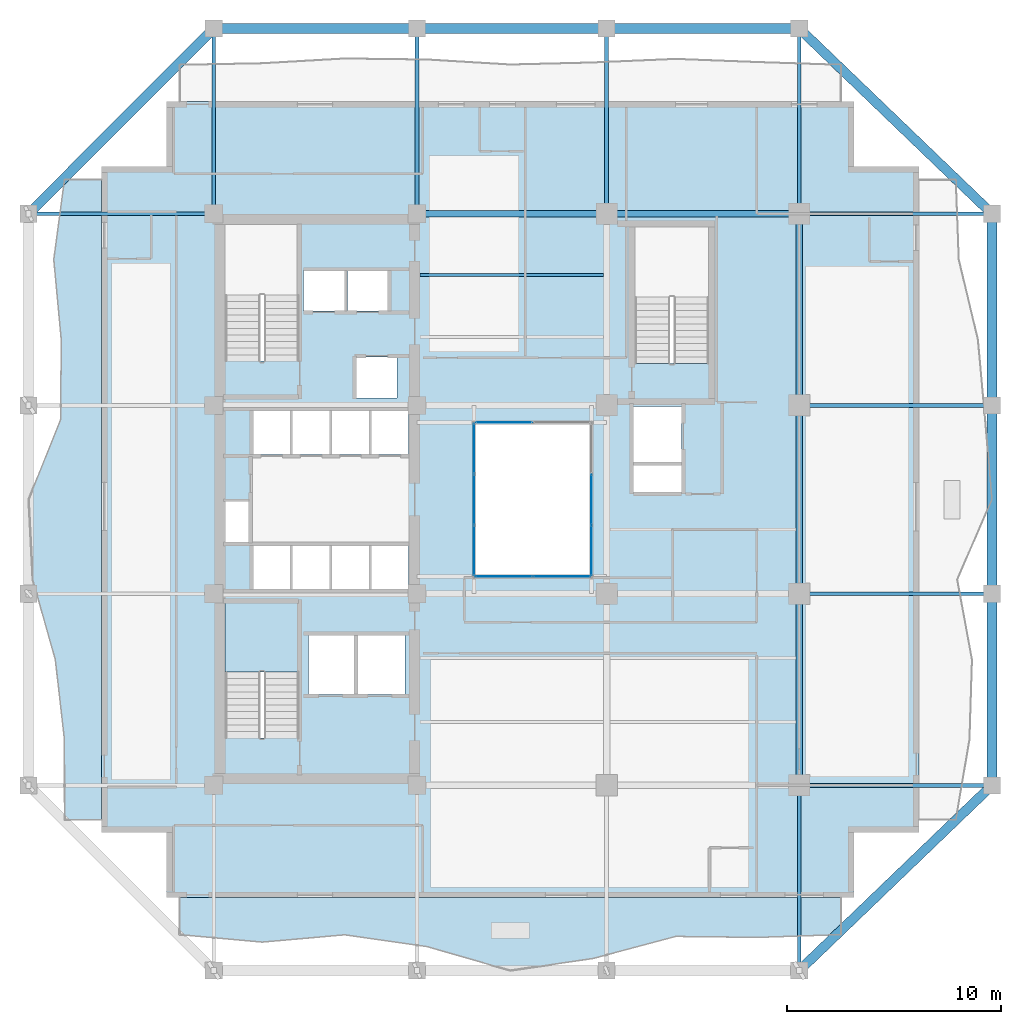
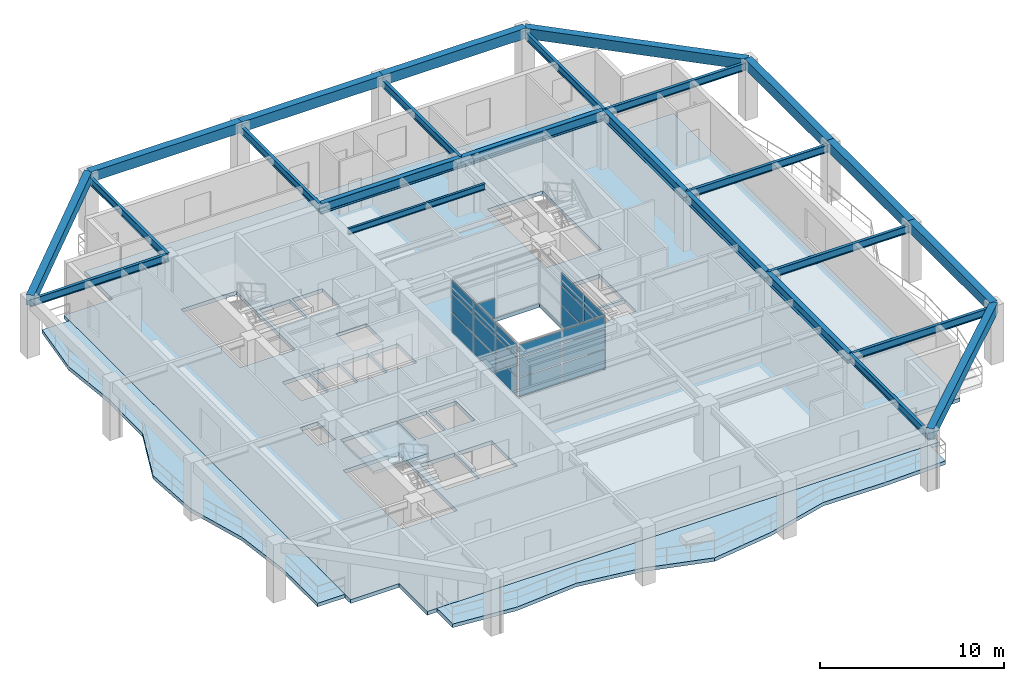
# One storey, part 5 of 14: 25 beams, 22 plates, 4 slabs, 5 elements without a shape of their own.
"""IFC4 building model written with IfcOpenShell, lengths in metres."""

import ifcopenshell
import ifcopenshell.guid

model = None  # the IFC model being written
_history = None  # IfcOwnerHistory: only IFC2X3 demands one
_inside = {}  # id of a spatial element -> (the spatial element, [elements in it])
_under = {}  # id of a project, library or spatial element -> (it, [spatial elements below it])
_declared = {}  # id of a project -> (the project, [libraries it declares])
_typed = {}  # id of a type object -> (the type object, [elements of that type])
_made_of = {}  # id of a material, layer set ... -> (it, [elements and type objects made of it])


def new_model(schema):
    """Start an empty IFC model of exactly this schema.

    Asked for "IFC4X3", IfcOpenShell would pick the latest addendum, in which some entities
    have other attributes; the version numbers below select the first issue.
    IFC2X3 requires an IfcOwnerHistory on every rooted entity: one is made here for all.
    """
    global model, _history
    if schema == "IFC4X3":
        model = ifcopenshell.file(schema_version=(4, 3, 0, 0))
    else:
        model = ifcopenshell.file(schema=schema)
    _inside.clear()
    _under.clear()
    _declared.clear()
    _typed.clear()
    _made_of.clear()
    _history = None
    if model.schema == "IFC2X3":
        org = make("IfcOrganization", Name="unknown")
        user = make(
            "IfcPersonAndOrganization",
            ThePerson=make("IfcPerson", FamilyName="unknown"),
            TheOrganization=org,
        )
        app = make(
            "IfcApplication",
            ApplicationDeveloper=org,
            Version="unknown",
            ApplicationFullName="unknown",
            ApplicationIdentifier="unknown",
        )
        _history = make(
            "IfcOwnerHistory",
            OwningUser=user,
            OwningApplication=app,
            ChangeAction="ADDED",
            CreationDate=0,
        )
    return model


def make(cls, **values):
    """One entity of the class cls with the attributes given. An attribute that is None is left unset."""
    return model.create_entity(
        cls, **{name: value for name, value in values.items() if value is not None}
    )


def rooted(cls, **values):
    """An entity with a GlobalId (a new one), such as an element, a storey or a relation."""
    return make(cls, GlobalId=ifcopenshell.guid.new(), OwnerHistory=_history, **values)


def si_unit(unit_type, name, prefix=None):
    """IfcSIUnit, for example si_unit("LENGTHUNIT", "METRE", prefix="MILLI")."""
    return make("IfcSIUnit", UnitType=unit_type, Prefix=prefix, Name=name)


def assignment(units):
    """IfcUnitAssignment: the units of a project."""
    return None if units is None else make("IfcUnitAssignment", Units=units)


def point(xyz):
    """IfcCartesianPoint."""
    return None if xyz is None else make("IfcCartesianPoint", Coordinates=xyz)


def direction(xyz):
    """IfcDirection."""
    return None if xyz is None else make("IfcDirection", DirectionRatios=xyz)


def frame(location, z_axis=None, x_axis=None):
    """IfcAxis2Placement3D, a coordinate frame: its origin and axes. An axis left out is left unset."""
    return make(
        "IfcAxis2Placement3D",
        Location=point(location),
        Axis=direction(z_axis),
        RefDirection=direction(x_axis),
    )


def frame_2d(location, x_axis=None):
    """IfcAxis2Placement2D, a coordinate frame in the plane: its origin and x axis."""
    return make(
        "IfcAxis2Placement2D", Location=point(location), RefDirection=direction(x_axis)
    )


def origin():
    """The frame at (0, 0, 0) with its axes left unset."""
    return frame((0.0, 0.0, 0.0))


def origin_2d():
    """The frame at (0, 0) in the plane with its x axis left unset."""
    return frame_2d((0.0, 0.0))


def place(relative_to, where):
    """IfcLocalPlacement: puts the frame where relative to a parent placement (None: the world)."""
    return make(
        "IfcLocalPlacement", PlacementRelTo=relative_to, RelativePlacement=where
    )


def context(
    kind, dimensions, precision=None, world=None, true_north=None, identifier=None
):
    """IfcGeometricRepresentationContext, for example the 3D "Model" context."""
    return make(
        "IfcGeometricRepresentationContext",
        ContextIdentifier=identifier,
        ContextType=kind,
        CoordinateSpaceDimension=dimensions,
        Precision=precision,
        WorldCoordinateSystem=world,
        TrueNorth=true_north,
    )


def subcontext(parent, identifier, kind, view, scale=None):
    """IfcGeometricRepresentationSubContext, for example "Body" below "Model"."""
    return make(
        "IfcGeometricRepresentationSubContext",
        ContextIdentifier=identifier,
        ContextType=kind,
        ParentContext=parent,
        TargetScale=scale,
        TargetView=view,
    )


def project(units=None, contexts=None):
    """IfcProject with its units and contexts."""
    return rooted(
        "IfcProject",
        Name="project",
        RepresentationContexts=contexts,
        UnitsInContext=assignment(units),
    )


def spatial(cls, under=None, at=None, **own):
    """A site, building, storey or space (cls), placed at a placement, below another one or the project."""
    s = rooted(cls, ObjectPlacement=at, **own)
    if under is not None:
        _under.setdefault(under.id(), (under, []))[1].append(s)
    return s


def polyline(points):
    """IfcPolyline through the points."""
    return make("IfcPolyline", Points=[point(p) for p in points])


def profile(cls, at=None, kind="AREA", **sizes):
    """A parametric profile (cls). Its sizes go by their IFC names, for example OverallWidth=200.0."""
    return make(cls, ProfileType=kind, Position=at, **sizes)


def rectangle(**sizes):
    """IfcRectangleProfileDef."""
    return profile("IfcRectangleProfileDef", **sizes)


def i_section(**sizes):
    """IfcIShapeProfileDef."""
    return profile("IfcIShapeProfileDef", **sizes)


def outline(outer, holes=None, kind="AREA"):
    """IfcArbitraryClosedProfileDef: a profile drawn as a closed curve; with holes, ...WithVoids."""
    if holes is None:
        return make("IfcArbitraryClosedProfileDef", ProfileType=kind, OuterCurve=outer)
    return make(
        "IfcArbitraryProfileDefWithVoids",
        ProfileType=kind,
        OuterCurve=outer,
        InnerCurves=holes,
    )


def extrude(swept, where, along, depth):
    """IfcExtrudedAreaSolid: the profile swept, set in the frame where, extruded along a direction by depth."""
    return make(
        "IfcExtrudedAreaSolid",
        SweptArea=swept,
        Position=where,
        ExtrudedDirection=direction(along),
        Depth=depth,
    )


def shape(context_of_items, identifier, shape_type, items):
    """IfcShapeRepresentation: the items that make up one representation, for example the "Body"."""
    return make(
        "IfcShapeRepresentation",
        ContextOfItems=context_of_items,
        RepresentationIdentifier=identifier,
        RepresentationType=shape_type,
        Items=items,
    )


def material(Name=None, Category=None):
    """IfcMaterial."""
    return make("IfcMaterial", Name=Name, Category=Category)


def layer(
    of_material, thickness, ventilated=None, Name=None, Category=None, Priority=None
):
    """IfcMaterialLayer: one layer of a wall or slab, of a material (None: an air gap)."""
    return make(
        "IfcMaterialLayer",
        Material=of_material,
        LayerThickness=thickness,
        IsVentilated=ventilated,
        Name=Name,
        Category=Category,
        Priority=Priority,
    )


def layer_set(layers, Name=None):
    """IfcMaterialLayerSet."""
    return make("IfcMaterialLayerSet", MaterialLayers=layers, LayerSetName=Name)


def material_profile(
    of_material, cross_section, Name=None, Category=None, Priority=None
):
    """IfcMaterialProfile: a cross section and its material."""
    return make(
        "IfcMaterialProfile",
        Name=Name,
        Material=of_material,
        Profile=cross_section,
        Priority=Priority,
        Category=Category,
    )


def profile_set(profiles, Name=None, composite=None):
    """IfcMaterialProfileSet."""
    return make(
        "IfcMaterialProfileSet",
        Name=Name,
        MaterialProfiles=profiles,
        CompositeProfile=composite,
    )


def made_of(thing, what):
    """Note that an element or type object is made of a material, layer set ...; save() writes the relation."""
    if what is not None:
        _made_of.setdefault(what.id(), (what, []))[1].append(thing)
    return thing


def type_object(cls, material=None, **own):
    """A type object (cls), such as IfcWallType, which elements share."""
    return made_of(rooted(cls, **own), material)


def element(
    cls,
    number,
    at=None,
    inside=None,
    cuts=None,
    type_object=None,
    material=None,
    context=None,
    identifier="Body",
    shape_type=None,
    held_by="IfcProductDefinitionShape",
    body=None,
    shapes=None,
    **own,
):
    """One element of the class cls, such as IfcWall. Its Tag is "e" and its number.

    at: its placement. inside: the storey or other place that contains it. cuts: it is an
    opening in that element (IfcRelVoidsElement). A single representation is given by context,
    identifier, shape_type and body (its items); several are given by shapes. held_by: the class
    of the entity that holds the representations. save() writes the other relations.
    """
    e = rooted(cls, Tag="e%d" % number, ObjectPlacement=at, **own)
    if body is not None:
        shapes = [shape(context, identifier, shape_type, body)]
    if shapes is not None:
        e.Representation = make(held_by, Representations=shapes)
    if inside is not None:
        _inside.setdefault(inside.id(), (inside, []))[1].append(e)
    if cuts is not None:
        rooted(
            "IfcRelVoidsElement", RelatingBuildingElement=cuts, RelatedOpeningElement=e
        )
    if type_object is not None:
        _typed.setdefault(type_object.id(), (type_object, []))[1].append(e)
    return made_of(e, material)


def aggregate(whole, parts):
    """IfcRelAggregates: a whole, such as a stair, and the parts it consists of."""
    return rooted("IfcRelAggregates", RelatingObject=whole, RelatedObjects=parts)


def save(model, path):
    """Write the relations noted so far, then the file.

    IfcRelAggregates (storeys below a building ...), IfcRelContainedInSpatialStructure (elements
    in a storey), IfcRelDefinesByType, IfcRelAssociatesMaterial and IfcRelDeclares: one each for
    every whole, place, type object, material and project.
    """
    for whole, parts in _under.values():
        aggregate(whole, parts)
    for where, things in _inside.values():
        rooted(
            "IfcRelContainedInSpatialStructure",
            RelatedElements=things,
            RelatingStructure=where,
        )
    for kind, things in _typed.values():
        rooted("IfcRelDefinesByType", RelatedObjects=things, RelatingType=kind)
    for what, things in _made_of.values():
        rooted("IfcRelAssociatesMaterial", RelatedObjects=things, RelatingMaterial=what)
    for by, libraries in _declared.values():
        rooted("IfcRelDeclares", RelatingContext=by, RelatedDefinitions=libraries)
    model.write(path)


model = new_model("IFC4")

# Units and contexts
model_context = context("Model", 3, precision=1e-05, world=origin(), true_north=direction((0.0, 1.0)))
body_context = subcontext(model_context, "Body", "Model", "MODEL_VIEW")
ifc_project = project(units=[si_unit("LENGTHUNIT", "METRE"), si_unit("AREAUNIT", "SQUARE_METRE"), si_unit("VOLUMEUNIT", "CUBIC_METRE"), si_unit("PLANEANGLEUNIT", "RADIAN"), si_unit("MASSUNIT", "GRAM", prefix="KILO")], contexts=[model_context])

# Site, building, storey
site_placement = place(None, origin())
site = spatial("IfcSite", under=ifc_project, at=site_placement, CompositionType="ELEMENT")
building_placement = place(site_placement, origin())
building = spatial("IfcBuilding", under=site, at=building_placement, Name="Kundavana Baori Tower", CompositionType="ELEMENT")
storey_placement = place(building_placement, frame((0.0, 0.0, 104.0)))
storey = spatial("IfcBuildingStorey", under=building, at=storey_placement, Name="L24", CompositionType="ELEMENT", Elevation=104.0)

# Beams
ifc_material_1 = material(Name="Structural Steel S355JR", Category="steel")
ifc_material_profile_1 = material_profile(ifc_material_1, i_section(OverallWidth=0.139892578125, OverallDepth=0.39990234375, WebThickness=0.0087890625, FlangeThickness=0.01611328125, FilletRadius=0.013916015625, at=origin_2d()), Name="ISMB 400")
ifc_profile_set_1 = profile_set([ifc_material_profile_1], Name="Structural Steel S355JR")
beam_type_1 = type_object("IfcBeamType", Name="BM-JST-400", PredefinedType="JOIST", material=ifc_profile_set_1)
beam_1_placement = place(storey_placement, frame((25.080078125, 39.10009765625, 3.39990234375), z_axis=(1.0, 0.0, 0.0), x_axis=(0.0, 1.0, 0.0)))
element("IfcBeam", 1, at=beam_1_placement, inside=storey, type_object=beam_type_1, Name="L24 Central Bay Composite Floor Joist C4", PredefinedType="JOIST", context=body_context, shape_type="SweptSolid", body=[
    extrude(i_section(OverallWidth=0.139892578125, OverallDepth=0.39990234375, WebThickness=0.0087890625, FlangeThickness=0.01611328125, FilletRadius=0.013916015625, at=origin_2d()), origin(), (0.0, 0.0, 1.0), 8.56982421875),
])
ifc_material_2 = material(Name="Concrete C50/60", Category="concrete")
ifc_material_profile_2 = material_profile(ifc_material_2, rectangle(XDim=0.449951171875, YDim=0.679931640625, at=origin_2d()), Name="RC BM 450x680")
ifc_profile_set_2 = profile_set([ifc_material_profile_2], Name="Concrete C50/60")
beam_type_2 = type_object("IfcBeamType", Name="BM-PF-680", PredefinedType="SPANDREL", material=ifc_profile_set_2)
beam_2_placement = place(storey_placement, frame((15.449951171875, 50.60009765625, 3.510009765625), z_axis=(1.0, 0.0, 0.0), x_axis=(0.0, 1.0, 0.0)))
element("IfcBeam", 2, at=beam_2_placement, inside=storey, type_object=beam_type_2, Name="L24 Perimeter Frame Ring Beam N1", PredefinedType="SPANDREL", context=body_context, shape_type="SweptSolid", body=[
    extrude(rectangle(XDim=0.449951171875, YDim=0.679931640625, at=origin_2d()), origin(), (0.0, 0.0, 1.0), 9.5),
])
beam_3_placement = place(storey_placement, frame((24.949951171875, 50.60009765625, 3.510009765625), z_axis=(1.0, 0.0, 0.0), x_axis=(0.0, 1.0, 0.0)))
element("IfcBeam", 3, at=beam_3_placement, inside=storey, type_object=beam_type_2, Name="L24 Perimeter Frame Ring Beam N2", PredefinedType="SPANDREL", context=body_context, shape_type="SweptSolid", body=[
    extrude(rectangle(XDim=0.449951171875, YDim=0.679931640625, at=origin_2d()), origin(), (0.0, 0.0, 1.0), 8.85009765625),
])
beam_4_placement = place(storey_placement, frame((33.800048828125, 50.60009765625, 3.510009765625), z_axis=(1.0, 0.0, 0.0), x_axis=(0.0, 1.0, 0.0)))
element("IfcBeam", 4, at=beam_4_placement, inside=storey, type_object=beam_type_2, Name="L24 Perimeter Frame Ring Beam N3", PredefinedType="SPANDREL", context=body_context, shape_type="SweptSolid", body=[
    extrude(rectangle(XDim=0.449951171875, YDim=0.679931640625, at=origin_2d()), origin(), (0.0, 0.0, 1.0), 9.0),
])
beam_5_placement = place(storey_placement, frame((51.800048828125, 15.25, 3.510009765625), z_axis=(0.0, 1.0, 0.0), x_axis=(-1.0, 0.0, 0.0)))
element("IfcBeam", 5, at=beam_5_placement, inside=storey, type_object=beam_type_2, Name="L24 Perimeter Frame Ring Beam E1", PredefinedType="SPANDREL", context=body_context, shape_type="SweptSolid", body=[
    extrude(rectangle(XDim=0.449951171875, YDim=0.679931640625, at=origin_2d()), origin(), (0.0, 0.0, 1.0), 8.949951171875),
])
beam_6_placement = place(storey_placement, frame((51.800048828125, 24.199951171875, 3.510009765625), z_axis=(0.0, 1.0, 0.0), x_axis=(-1.0, 0.0, 0.0)))
element("IfcBeam", 6, at=beam_6_placement, inside=storey, type_object=beam_type_2, Name="L24 Perimeter Frame Ring Beam E2", PredefinedType="SPANDREL", context=body_context, shape_type="SweptSolid", body=[
    extrude(rectangle(XDim=0.449951171875, YDim=0.679931640625, at=origin_2d()), origin(), (0.0, 0.0, 1.0), 8.800048828125),
])
beam_7_placement = place(storey_placement, frame((51.800048828125, 33.0, 3.510009765625), z_axis=(0.0, 1.0, 0.0), x_axis=(-1.0, 0.0, 0.0)))
element("IfcBeam", 7, at=beam_7_placement, inside=storey, type_object=beam_type_2, Name="L24 Perimeter Frame Ring Beam E3", PredefinedType="SPANDREL", context=body_context, shape_type="SweptSolid", body=[
    extrude(rectangle(XDim=0.449951171875, YDim=0.679931640625, at=origin_2d()), origin(), (0.0, 0.0, 1.0), 8.949951171875),
])
beam_8_placement = place(storey_placement, frame((42.800048828125, 6.60009765625, 3.510009765625), z_axis=(0.720990894297, 0.692944536266, 0.0), x_axis=(-0.692944536266, 0.720990894297, 0.0)))
element("IfcBeam", 8, at=beam_8_placement, inside=storey, type_object=beam_type_2, Name="L24 Notched Corner Perimeter Beam SE", PredefinedType="SPANDREL", context=body_context, shape_type="SweptSolid", body=[
    extrude(rectangle(XDim=0.449951171875, YDim=0.679931640625, at=origin_2d()), origin(), (0.0, 0.0, 1.0), 12.48291015625),
])
beam_9_placement = place(storey_placement, frame((15.449951171875, 50.60009765625, 3.510009765625), z_axis=(-0.70709680233, -0.707116759903, 0.0), x_axis=(0.707116759903, -0.70709680233, 0.0)))
element("IfcBeam", 9, at=beam_9_placement, inside=storey, type_object=beam_type_2, Name="L24 Notched Corner Perimeter Beam NW", PredefinedType="SPANDREL", context=body_context, shape_type="SweptSolid", body=[
    extrude(rectangle(XDim=0.449951171875, YDim=0.679931640625, at=origin_2d()), origin(), (0.0, 0.0, 1.0), 12.23291015625),
])
beam_10_placement = place(storey_placement, frame((42.800048828125, 50.60009765625, 3.510009765625), z_axis=(0.720981122985, -0.692954702921, 0.0), x_axis=(0.692954702921, 0.720981122985, 0.0)))
element("IfcBeam", 10, at=beam_10_placement, inside=storey, type_object=beam_type_2, Name="L24 Notched Corner Perimeter Beam NE", PredefinedType="SPANDREL", context=body_context, shape_type="SweptSolid", body=[
    extrude(rectangle(XDim=0.449951171875, YDim=0.679931640625, at=origin_2d()), origin(), (0.0, 0.0, 1.0), 12.48291015625),
])
ifc_material_3 = material(Name="Structural Steel S355JR", Category="steel")
ifc_material_profile_3 = material_profile(ifc_material_3, i_section(OverallWidth=0.300048828125, OverallDepth=0.64990234375, WebThickness=0.013427734375, FlangeThickness=0.02197265625, FilletRadius=0.02392578125, at=origin_2d()), Name="NPB 650x300x155")
ifc_profile_set_3 = profile_set([ifc_material_profile_3], Name="Structural Steel S355JR")
beam_type_3 = type_object("IfcBeamType", Name="BM-ST-650", PredefinedType="BEAM", material=ifc_profile_set_3)
beam_11_placement = place(storey_placement, frame((24.949951171875, 41.949951171875, 3.27490234375), z_axis=(1.0, 0.0, 0.0), x_axis=(0.0, 1.0, 0.0)))
element("IfcBeam", 11, at=beam_11_placement, inside=storey, type_object=beam_type_3, Name="L24 Primary Grid Girder GX-4-2", PredefinedType="BEAM", context=body_context, shape_type="SweptSolid", body=[
    extrude(i_section(OverallWidth=0.300048828125, OverallDepth=0.64990234375, WebThickness=0.013427734375, FlangeThickness=0.02197265625, FilletRadius=0.02392578125, at=origin_2d()), origin(), (0.0, 0.0, 1.0), 8.85009765625),
])
beam_12_placement = place(storey_placement, frame((33.800048828125, 41.949951171875, 3.27490234375), z_axis=(1.0, 0.0, 0.0), x_axis=(0.0, 1.0, 0.0)))
element("IfcBeam", 12, at=beam_12_placement, inside=storey, type_object=beam_type_3, Name="L24 Primary Grid Girder GX-4-3", PredefinedType="BEAM", context=body_context, shape_type="SweptSolid", body=[
    extrude(i_section(OverallWidth=0.300048828125, OverallDepth=0.64990234375, WebThickness=0.013427734375, FlangeThickness=0.02197265625, FilletRadius=0.02392578125, at=origin_2d()), origin(), (0.0, 0.0, 1.0), 9.0),
])
beam_13_placement = place(storey_placement, frame((42.800048828125, 15.25, 3.27490234375), z_axis=(0.0, 1.0, 0.0), x_axis=(-1.0, 0.0, 0.0)))
element("IfcBeam", 13, at=beam_13_placement, inside=storey, type_object=beam_type_3, Name="L24 Primary Grid Girder GY-4-1", PredefinedType="BEAM", context=body_context, shape_type="SweptSolid", body=[
    extrude(i_section(OverallWidth=0.300048828125, OverallDepth=0.64990234375, WebThickness=0.013427734375, FlangeThickness=0.02197265625, FilletRadius=0.02392578125, at=origin_2d()), origin(), (0.0, 0.0, 1.0), 8.949951171875),
])
beam_14_placement = place(storey_placement, frame((42.800048828125, 24.199951171875, 3.27490234375), z_axis=(0.0, 1.0, 0.0), x_axis=(-1.0, 0.0, 0.0)))
element("IfcBeam", 14, at=beam_14_placement, inside=storey, type_object=beam_type_3, Name="L24 Primary Grid Girder GY-4-2", PredefinedType="BEAM", context=body_context, shape_type="SweptSolid", body=[
    extrude(i_section(OverallWidth=0.300048828125, OverallDepth=0.64990234375, WebThickness=0.013427734375, FlangeThickness=0.02197265625, FilletRadius=0.02392578125, at=origin_2d()), origin(), (0.0, 0.0, 1.0), 8.800048828125),
])
beam_15_placement = place(storey_placement, frame((42.800048828125, 33.0, 3.27490234375), z_axis=(0.0, 1.0, 0.0), x_axis=(-1.0, 0.0, 0.0)))
element("IfcBeam", 15, at=beam_15_placement, inside=storey, type_object=beam_type_3, Name="L24 Primary Grid Girder GY-4-3", PredefinedType="BEAM", context=body_context, shape_type="SweptSolid", body=[
    extrude(i_section(OverallWidth=0.300048828125, OverallDepth=0.64990234375, WebThickness=0.013427734375, FlangeThickness=0.02197265625, FilletRadius=0.02392578125, at=origin_2d()), origin(), (0.0, 0.0, 1.0), 8.949951171875),
])
ifc_material_4 = material(Name="Structural Steel S355JR", Category="steel")
ifc_material_profile_4 = material_profile(ifc_material_4, i_section(OverallWidth=0.179931640625, OverallDepth=0.5, WebThickness=0.01025390625, FlangeThickness=0.01708984375, FilletRadius=0.01708984375, at=origin_2d()), Name="ISMB 500")
ifc_profile_set_4 = profile_set([ifc_material_profile_4], Name="Structural Steel S355JR")
beam_type_4 = type_object("IfcBeamType", Name="BM-TIE-500", PredefinedType="BEAM", material=ifc_profile_set_4)
for number, where, z_axis, x_axis, name in (
    (16, (15.449951171875, 41.949951171875, 3.35009765625), (0.0, 1.0, 0.0), (-1.0, 0.0, 0.0), "L24 North Radial Loggia Tie Beam N1"),
    (17, (24.949951171875, 41.949951171875, 3.35009765625), (0.0, 1.0, 0.0), (-1.0, 0.0, 0.0), "L24 North Radial Loggia Tie Beam N2"),
    (18, (33.800048828125, 41.949951171875, 3.35009765625), (0.0, 1.0, 0.0), (-1.0, 0.0, 0.0), "L24 North Radial Loggia Tie Beam N3"),
):
    element("IfcBeam", number, at=place(storey_placement, frame(where, z_axis=z_axis, x_axis=x_axis)), inside=storey, type_object=beam_type_4, Name=name, PredefinedType="BEAM", context=body_context, shape_type="SweptSolid", body=[
        extrude(i_section(OverallWidth=0.179931640625, OverallDepth=0.5, WebThickness=0.01025390625, FlangeThickness=0.01708984375, FilletRadius=0.01708984375, at=origin_2d()), origin(), (0.0, 0.0, 1.0), 8.650146484375),
    ])
beam_16_placement = place(storey_placement, frame((42.800048828125, 15.25, 3.35009765625), z_axis=(0.0, -1.0, 0.0), x_axis=(1.0, 0.0, 0.0)))
element("IfcBeam", 19, at=beam_16_placement, inside=storey, type_object=beam_type_4, Name="L24 South Radial Loggia Tie Beam S4", PredefinedType="BEAM", context=body_context, shape_type="SweptSolid", body=[
    extrude(i_section(OverallWidth=0.179931640625, OverallDepth=0.5, WebThickness=0.01025390625, FlangeThickness=0.01708984375, FilletRadius=0.01708984375, at=origin_2d()), origin(), (0.0, 0.0, 1.0), 8.64990234375),
])
beam_17_placement = place(storey_placement, frame((42.800048828125, 41.949951171875, 3.35009765625), z_axis=(0.0, 1.0, 0.0), x_axis=(-1.0, 0.0, 0.0)))
element("IfcBeam", 20, at=beam_17_placement, inside=storey, type_object=beam_type_4, Name="L24 North Radial Loggia Tie Beam N4", PredefinedType="BEAM", context=body_context, shape_type="SweptSolid", body=[
    extrude(i_section(OverallWidth=0.179931640625, OverallDepth=0.5, WebThickness=0.01025390625, FlangeThickness=0.01708984375, FilletRadius=0.01708984375, at=origin_2d()), origin(), (0.0, 0.0, 1.0), 8.650146484375),
])
for number, where, z_axis, x_axis, name in (
    (21, (42.800048828125, 15.25, 3.35009765625), (1.0, 0.0, 0.0), (0.0, 1.0, 0.0), "L24 East Radial Loggia Tie Beam E1"),
    (22, (42.800048828125, 24.199951171875, 3.35009765625), (1.0, 0.0, 0.0), (0.0, 1.0, 0.0), "L24 East Radial Loggia Tie Beam E2"),
    (23, (42.800048828125, 33.0, 3.35009765625), (1.0, 0.0, 0.0), (0.0, 1.0, 0.0), "L24 East Radial Loggia Tie Beam E3"),
):
    element("IfcBeam", number, at=place(storey_placement, frame(where, z_axis=z_axis, x_axis=x_axis)), inside=storey, type_object=beam_type_4, Name=name, PredefinedType="BEAM", context=body_context, shape_type="SweptSolid", body=[
        extrude(i_section(OverallWidth=0.179931640625, OverallDepth=0.5, WebThickness=0.01025390625, FlangeThickness=0.01708984375, FilletRadius=0.01708984375, at=origin_2d()), origin(), (0.0, 0.0, 1.0), 9.0),
    ])
beam_18_placement = place(storey_placement, frame((15.449951171875, 41.949951171875, 3.35009765625), z_axis=(-1.0, 0.0, 0.0), x_axis=(0.0, -1.0, 0.0)))
element("IfcBeam", 24, at=beam_18_placement, inside=storey, type_object=beam_type_4, Name="L24 West Radial Loggia Tie Beam W4", PredefinedType="BEAM", context=body_context, shape_type="SweptSolid", body=[
    extrude(i_section(OverallWidth=0.179931640625, OverallDepth=0.5, WebThickness=0.01025390625, FlangeThickness=0.01708984375, FilletRadius=0.01708984375, at=origin_2d()), origin(), (0.0, 0.0, 1.0), 8.64990234375),
])
beam_19_placement = place(storey_placement, frame((42.800048828125, 41.949951171875, 3.35009765625), z_axis=(1.0, 0.0, 0.0), x_axis=(0.0, 1.0, 0.0)))
element("IfcBeam", 25, at=beam_19_placement, inside=storey, type_object=beam_type_4, Name="L24 East Radial Loggia Tie Beam E4", PredefinedType="BEAM", context=body_context, shape_type="SweptSolid", body=[
    extrude(i_section(OverallWidth=0.179931640625, OverallDepth=0.5, WebThickness=0.01025390625, FlangeThickness=0.01708984375, FilletRadius=0.01708984375, at=origin_2d()), origin(), (0.0, 0.0, 1.0), 9.0),
])

# Curtain wall, plates
ifc_material_5 = material(Name="Thermally Broken Anodised Aluminium Framing", Category="aluminium")
ifc_layer_1 = layer(ifc_material_5, 0.205078125, Name="CW-SYS-4")
ifc_layer_set_1 = layer_set([ifc_layer_1], Name="Thermally Broken Anodised Aluminium Framing")
curtain_wall_type = type_object("IfcCurtainWallType", Name="CW-SYS-4", PredefinedType="NOTDEFINED", material=ifc_layer_set_1)
curtain_wall_1_placement = place(storey_placement, origin())
curtain_wall_1 = element("IfcCurtainWall", 26, at=curtain_wall_1_placement, inside=storey, type_object=curtain_wall_type, Name="L24 Atrium Glazed Curtain Wall S", PredefinedType="NOTDEFINED")
ifc_material_6 = material(Name="Double-Glazed Solar-Control Low-E Insulated Glass", Category="glass")
ifc_layer_2 = layer(ifc_material_6, 0.028076171875, Name="CW-PNL-GLS28")
ifc_layer_set_2 = layer_set([ifc_layer_2], Name="Double-Glazed Solar-Control Low-E Insulated Glass")
plate_type = type_object("IfcPlateType", Name="CW-PNL-GLS28", PredefinedType="CURTAIN_PANEL", material=ifc_layer_set_2)
plate_1_placement = place(storey_placement, frame((28.9912109375, 25.0, 0.06494140625), z_axis=(0.0, 0.0, 1.0), x_axis=(1.0, 0.0, 0.0)))
plate_1 = element("IfcPlate", 27, at=plate_1_placement, type_object=plate_type, Name="CW4 panel 1.1", PredefinedType="CURTAIN_PANEL", context=body_context, shape_type="SweptSolid", body=[
    extrude(rectangle(XDim=2.652587890625, YDim=0.028076171875, at=origin_2d()), origin(), (0.0, 0.0, 1.0), 1.2705078125),
])
plate_2_placement = place(storey_placement, frame((28.9912109375, 25.0, 1.400634765625), z_axis=(0.0, 0.0, 1.0), x_axis=(1.0, 0.0, 0.0)))
plate_2 = element("IfcPlate", 28, at=plate_2_placement, type_object=plate_type, Name="CW4 panel 1.2", PredefinedType="CURTAIN_PANEL", context=body_context, shape_type="SweptSolid", body=[
    extrude(rectangle(XDim=2.652587890625, YDim=0.028076171875, at=origin_2d()), origin(), (0.0, 0.0, 1.0), 1.23095703125),
])
plate_3_placement = place(storey_placement, frame((28.9912109375, 25.0, 2.696533203125), z_axis=(0.0, 0.0, 1.0), x_axis=(1.0, 0.0, 0.0)))
plate_3 = element("IfcPlate", 29, at=plate_3_placement, type_object=plate_type, Name="CW4 panel 1.3", PredefinedType="CURTAIN_PANEL", context=body_context, shape_type="SweptSolid", body=[
    extrude(rectangle(XDim=2.652587890625, YDim=0.028076171875, at=origin_2d()), origin(), (0.0, 0.0, 1.0), 0.83837890625),
])
plate_4_placement = place(storey_placement, frame((31.708740234375, 25.0, 0.06494140625), z_axis=(0.0, 0.0, 1.0), x_axis=(1.0, 0.0, 0.0)))
plate_4 = element("IfcPlate", 30, at=plate_4_placement, type_object=plate_type, Name="CW4 panel 2.1", PredefinedType="CURTAIN_PANEL", context=body_context, shape_type="SweptSolid", body=[
    extrude(rectangle(XDim=2.652587890625, YDim=0.028076171875, at=origin_2d()), origin(), (0.0, 0.0, 1.0), 1.2705078125),
])
plate_5_placement = place(storey_placement, frame((31.708740234375, 25.0, 1.400634765625), z_axis=(0.0, 0.0, 1.0), x_axis=(1.0, 0.0, 0.0)))
plate_5 = element("IfcPlate", 31, at=plate_5_placement, type_object=plate_type, Name="CW4 panel 2.2", PredefinedType="CURTAIN_PANEL", context=body_context, shape_type="SweptSolid", body=[
    extrude(rectangle(XDim=2.652587890625, YDim=0.028076171875, at=origin_2d()), origin(), (0.0, 0.0, 1.0), 1.23095703125),
])
plate_6_placement = place(storey_placement, frame((31.708740234375, 25.0, 2.696533203125), z_axis=(0.0, 0.0, 1.0), x_axis=(1.0, 0.0, 0.0)))
plate_6 = element("IfcPlate", 32, at=plate_6_placement, type_object=plate_type, Name="CW4 panel 2.3", PredefinedType="CURTAIN_PANEL", context=body_context, shape_type="SweptSolid", body=[
    extrude(rectangle(XDim=2.652587890625, YDim=0.028076171875, at=origin_2d()), origin(), (0.0, 0.0, 1.0), 0.83837890625),
])
aggregate(curtain_wall_1, [plate_1, plate_2, plate_3, plate_4, plate_5, plate_6])

curtain_wall_2_placement = place(storey_placement, origin())
curtain_wall_2 = element("IfcCurtainWall", 33, at=curtain_wall_2_placement, inside=storey, type_object=curtain_wall_type, Name="L24 Atrium Glazed Curtain Wall E", PredefinedType="NOTDEFINED")
plate_7_placement = place(storey_placement, frame((33.10009765625, 26.21630859375, 0.06494140625), z_axis=(0.0, 0.0, 1.0), x_axis=(0.0, 1.0, 0.0)))
plate_7 = element("IfcPlate", 34, at=plate_7_placement, type_object=plate_type, Name="CW4 panel 1.1", PredefinedType="CURTAIN_PANEL", context=body_context, shape_type="SweptSolid", body=[
    extrude(rectangle(XDim=2.302490234375, YDim=0.028076171875, at=origin_2d()), origin(), (0.0, 0.0, 1.0), 1.2705078125),
])
plate_8_placement = place(storey_placement, frame((33.10009765625, 26.21630859375, 1.400634765625), z_axis=(0.0, 0.0, 1.0), x_axis=(0.0, 1.0, 0.0)))
plate_8 = element("IfcPlate", 35, at=plate_8_placement, type_object=plate_type, Name="CW4 panel 1.2", PredefinedType="CURTAIN_PANEL", context=body_context, shape_type="SweptSolid", body=[
    extrude(rectangle(XDim=2.302490234375, YDim=0.028076171875, at=origin_2d()), origin(), (0.0, 0.0, 1.0), 1.23095703125),
])
plate_9_placement = place(storey_placement, frame((33.10009765625, 26.21630859375, 2.696533203125), z_axis=(0.0, 0.0, 1.0), x_axis=(0.0, 1.0, 0.0)))
plate_9 = element("IfcPlate", 36, at=plate_9_placement, type_object=plate_type, Name="CW4 panel 1.3", PredefinedType="CURTAIN_PANEL", context=body_context, shape_type="SweptSolid", body=[
    extrude(rectangle(XDim=2.302490234375, YDim=0.028076171875, at=origin_2d()), origin(), (0.0, 0.0, 1.0), 0.83837890625),
])
plate_10_placement = place(storey_placement, frame((33.10009765625, 28.60009765625, 0.06494140625), z_axis=(0.0, 0.0, 1.0), x_axis=(0.0, 1.0, 0.0)))
plate_10 = element("IfcPlate", 37, at=plate_10_placement, type_object=plate_type, Name="CW4 panel 2.1", PredefinedType="CURTAIN_PANEL", context=body_context, shape_type="SweptSolid", body=[
    extrude(rectangle(XDim=2.3349609375, YDim=0.028076171875, at=origin_2d()), origin(), (0.0, 0.0, 1.0), 1.2705078125),
])
plate_11_placement = place(storey_placement, frame((33.10009765625, 28.60009765625, 1.400634765625), z_axis=(0.0, 0.0, 1.0), x_axis=(0.0, 1.0, 0.0)))
plate_11 = element("IfcPlate", 38, at=plate_11_placement, type_object=plate_type, Name="CW4 panel 2.2", PredefinedType="CURTAIN_PANEL", context=body_context, shape_type="SweptSolid", body=[
    extrude(rectangle(XDim=2.3349609375, YDim=0.028076171875, at=origin_2d()), origin(), (0.0, 0.0, 1.0), 1.23095703125),
])
plate_12_placement = place(storey_placement, frame((33.10009765625, 28.60009765625, 2.696533203125), z_axis=(0.0, 0.0, 1.0), x_axis=(0.0, 1.0, 0.0)))
plate_12 = element("IfcPlate", 39, at=plate_12_placement, type_object=plate_type, Name="CW4 panel 2.3", PredefinedType="CURTAIN_PANEL", context=body_context, shape_type="SweptSolid", body=[
    extrude(rectangle(XDim=2.3349609375, YDim=0.028076171875, at=origin_2d()), origin(), (0.0, 0.0, 1.0), 0.83837890625),
])
aggregate(curtain_wall_2, [plate_7, plate_8, plate_9, plate_10, plate_11, plate_12])

# Curtain wall, plate
curtain_wall_3_placement = place(storey_placement, origin())
curtain_wall_3 = element("IfcCurtainWall", 40, at=curtain_wall_3_placement, inside=storey, type_object=curtain_wall_type, Name="L24 Atrium Glazed Curtain Wall N", PredefinedType="NOTDEFINED")
plate_13_placement = place(storey_placement, frame((28.9912109375, 32.199951171875, 0.06494140625), z_axis=(0.0, 0.0, 1.0), x_axis=(-1.0, 0.0, 0.0)))
plate_13 = element("IfcPlate", 41, at=plate_13_placement, type_object=plate_type, Name="CW4 panel 2.1", PredefinedType="CURTAIN_PANEL", context=body_context, shape_type="SweptSolid", body=[
    extrude(rectangle(XDim=2.652587890625, YDim=0.028076171875, at=origin_2d()), origin(), (0.0, 0.0, 1.0), 1.2705078125),
])
aggregate(curtain_wall_3, [plate_13])

# Curtain wall, plates
curtain_wall_4_placement = place(storey_placement, origin())
curtain_wall_4 = element("IfcCurtainWall", 42, at=curtain_wall_4_placement, inside=storey, type_object=curtain_wall_type, Name="L24 Atrium Glazed Curtain Wall W", PredefinedType="NOTDEFINED")
plate_14_placement = place(storey_placement, frame((27.60009765625, 30.983642578125, 0.06494140625), z_axis=(0.0, 0.0, 1.0), x_axis=(0.0, -1.0, 0.0)))
plate_14 = element("IfcPlate", 43, at=plate_14_placement, type_object=plate_type, Name="CW4 panel 1.1", PredefinedType="CURTAIN_PANEL", context=body_context, shape_type="SweptSolid", body=[
    extrude(rectangle(XDim=2.302490234375, YDim=0.028076171875, at=origin_2d()), origin(), (0.0, 0.0, 1.0), 1.2705078125),
])
plate_15_placement = place(storey_placement, frame((27.60009765625, 30.983642578125, 1.400634765625), z_axis=(0.0, 0.0, 1.0), x_axis=(0.0, -1.0, 0.0)))
plate_15 = element("IfcPlate", 44, at=plate_15_placement, type_object=plate_type, Name="CW4 panel 1.2", PredefinedType="CURTAIN_PANEL", context=body_context, shape_type="SweptSolid", body=[
    extrude(rectangle(XDim=2.302490234375, YDim=0.028076171875, at=origin_2d()), origin(), (0.0, 0.0, 1.0), 1.23095703125),
])
plate_16_placement = place(storey_placement, frame((27.60009765625, 30.983642578125, 2.696533203125), z_axis=(0.0, 0.0, 1.0), x_axis=(0.0, -1.0, 0.0)))
plate_16 = element("IfcPlate", 45, at=plate_16_placement, type_object=plate_type, Name="CW4 panel 1.3", PredefinedType="CURTAIN_PANEL", context=body_context, shape_type="SweptSolid", body=[
    extrude(rectangle(XDim=2.302490234375, YDim=0.028076171875, at=origin_2d()), origin(), (0.0, 0.0, 1.0), 0.83837890625),
])
plate_17_placement = place(storey_placement, frame((27.60009765625, 28.60009765625, 0.06494140625), z_axis=(0.0, 0.0, 1.0), x_axis=(0.0, -1.0, 0.0)))
plate_17 = element("IfcPlate", 46, at=plate_17_placement, type_object=plate_type, Name="CW4 panel 2.1", PredefinedType="CURTAIN_PANEL", context=body_context, shape_type="SweptSolid", body=[
    extrude(rectangle(XDim=2.3349609375, YDim=0.028076171875, at=origin_2d()), origin(), (0.0, 0.0, 1.0), 1.2705078125),
])
plate_18_placement = place(storey_placement, frame((27.60009765625, 28.60009765625, 1.400634765625), z_axis=(0.0, 0.0, 1.0), x_axis=(0.0, -1.0, 0.0)))
plate_18 = element("IfcPlate", 47, at=plate_18_placement, type_object=plate_type, Name="CW4 panel 2.2", PredefinedType="CURTAIN_PANEL", context=body_context, shape_type="SweptSolid", body=[
    extrude(rectangle(XDim=2.3349609375, YDim=0.028076171875, at=origin_2d()), origin(), (0.0, 0.0, 1.0), 1.23095703125),
])
plate_19_placement = place(storey_placement, frame((27.60009765625, 28.60009765625, 2.696533203125), z_axis=(0.0, 0.0, 1.0), x_axis=(0.0, -1.0, 0.0)))
plate_19 = element("IfcPlate", 48, at=plate_19_placement, type_object=plate_type, Name="CW4 panel 2.3", PredefinedType="CURTAIN_PANEL", context=body_context, shape_type="SweptSolid", body=[
    extrude(rectangle(XDim=2.3349609375, YDim=0.028076171875, at=origin_2d()), origin(), (0.0, 0.0, 1.0), 0.83837890625),
])
plate_20_placement = place(storey_placement, frame((27.60009765625, 26.21630859375, 0.06494140625), z_axis=(0.0, 0.0, 1.0), x_axis=(0.0, -1.0, 0.0)))
plate_20 = element("IfcPlate", 49, at=plate_20_placement, type_object=plate_type, Name="CW4 panel 3.1", PredefinedType="CURTAIN_PANEL", context=body_context, shape_type="SweptSolid", body=[
    extrude(rectangle(XDim=2.302490234375, YDim=0.028076171875, at=origin_2d()), origin(), (0.0, 0.0, 1.0), 1.2705078125),
])
plate_21_placement = place(storey_placement, frame((27.60009765625, 26.21630859375, 1.400634765625), z_axis=(0.0, 0.0, 1.0), x_axis=(0.0, -1.0, 0.0)))
plate_21 = element("IfcPlate", 50, at=plate_21_placement, type_object=plate_type, Name="CW4 panel 3.2", PredefinedType="CURTAIN_PANEL", context=body_context, shape_type="SweptSolid", body=[
    extrude(rectangle(XDim=2.302490234375, YDim=0.028076171875, at=origin_2d()), origin(), (0.0, 0.0, 1.0), 1.23095703125),
])
plate_22_placement = place(storey_placement, frame((27.60009765625, 26.21630859375, 2.696533203125), z_axis=(0.0, 0.0, 1.0), x_axis=(0.0, -1.0, 0.0)))
plate_22 = element("IfcPlate", 51, at=plate_22_placement, type_object=plate_type, Name="CW4 panel 3.3", PredefinedType="CURTAIN_PANEL", context=body_context, shape_type="SweptSolid", body=[
    extrude(rectangle(XDim=2.302490234375, YDim=0.028076171875, at=origin_2d()), origin(), (0.0, 0.0, 1.0), 0.83837890625),
])
aggregate(curtain_wall_4, [plate_14, plate_15, plate_16, plate_17, plate_18, plate_19, plate_20, plate_21, plate_22])

# Slab
ifc_material_7 = material(Name="Concrete C40/50", Category="concrete")
ifc_layer_3 = layer(ifc_material_7, 0.25, Name="SLB-FLR-250")
ifc_layer_set_3 = layer_set([ifc_layer_3], Name="Concrete C40/50")
slab_type_1 = type_object("IfcSlabType", Name="SLB-FLR-250", PredefinedType="FLOOR", material=ifc_layer_set_3)
slab_1_placement = place(storey_placement, frame((0.0, 0.0, -0.25)))
element("IfcSlab", 52, at=slab_1_placement, inside=storey, type_object=slab_type_1, Name="L24 Structural Floor Slab", PredefinedType="FLOOR", context=body_context, shape_type="SweptSolid", body=[
    extrude(outline(polyline([(13.25, 10.0), (45.35009765625, 10.0), (45.35009765625, 13.050048828125), (48.39990234375, 13.050048828125), (48.39990234375, 44.14990234375), (45.35009765625, 44.14990234375), (45.35009765625, 47.199951171875), (13.25, 47.199951171875), (13.25, 44.14990234375), (10.199951171875, 44.14990234375), (10.199951171875, 13.050048828125), (13.25, 13.050048828125), (13.25, 10.0)]), holes=[polyline([(19.43994140625, 17.4619140625), (19.43994140625, 23.85009765625), (15.97998046875, 23.85009765625), (15.97998046875, 17.4619140625), (19.43994140625, 17.4619140625)]), polyline([(19.43994140625, 35.06201171875), (19.43994140625, 41.449951171875), (15.97998046875, 41.449951171875), (15.97998046875, 35.06201171875), (19.43994140625, 35.06201171875)]), polyline([(38.580078125, 34.9619140625), (38.580078125, 41.35009765625), (35.1201171875, 41.35009765625), (35.1201171875, 34.9619140625), (38.580078125, 34.9619140625)]), polyline([(17.300048828125, 24.39990234375), (19.02001953125, 24.39990234375), (19.02001953125, 26.449951171875), (17.300048828125, 26.449951171875), (17.300048828125, 24.39990234375)]), polyline([(19.139892578125, 24.39990234375), (20.860107421875, 24.39990234375), (20.860107421875, 26.449951171875), (19.139892578125, 26.449951171875), (19.139892578125, 24.39990234375)]), polyline([(20.97998046875, 24.39990234375), (22.699951171875, 24.39990234375), (22.699951171875, 26.449951171875), (20.97998046875, 26.449951171875), (20.97998046875, 24.39990234375)]), polyline([(22.820068359375, 24.39990234375), (24.5400390625, 24.39990234375), (24.5400390625, 26.449951171875), (22.820068359375, 26.449951171875), (22.820068359375, 24.39990234375)]), polyline([(17.300048828125, 30.699951171875), (19.02001953125, 30.699951171875), (19.02001953125, 32.75), (17.300048828125, 32.75), (17.300048828125, 30.699951171875)]), polyline([(19.139892578125, 30.699951171875), (20.860107421875, 30.699951171875), (20.860107421875, 32.75), (19.139892578125, 32.75), (19.139892578125, 30.699951171875)]), polyline([(20.97998046875, 30.699951171875), (22.699951171875, 30.699951171875), (22.699951171875, 32.75), (20.97998046875, 32.75), (20.97998046875, 30.699951171875)]), polyline([(22.820068359375, 30.699951171875), (24.5400390625, 30.699951171875), (24.5400390625, 32.75), (22.820068359375, 32.75), (22.820068359375, 30.699951171875)]), polyline([(19.64990234375, 37.39990234375), (21.550048828125, 37.39990234375), (21.550048828125, 39.300048828125), (19.64990234375, 39.300048828125), (19.64990234375, 37.39990234375)]), polyline([(21.699951171875, 37.39990234375), (23.60009765625, 37.39990234375), (23.60009765625, 39.300048828125), (21.699951171875, 39.300048828125), (21.699951171875, 37.39990234375)]), polyline([(22.10009765625, 33.35009765625), (24.0, 33.35009765625), (24.0, 35.25), (22.10009765625, 35.25), (22.10009765625, 33.35009765625)]), polyline([(19.8798828125, 19.5), (22.02001953125, 19.5), (22.02001953125, 22.25), (19.8798828125, 22.25), (19.8798828125, 19.5)]), polyline([(22.179931640625, 19.5), (24.3798828125, 19.5), (24.3798828125, 22.25), (22.179931640625, 22.25), (22.179931640625, 19.5)]), polyline([(35.050048828125, 30.35009765625), (37.300048828125, 30.35009765625), (37.300048828125, 32.949951171875), (35.050048828125, 32.949951171875), (35.050048828125, 30.35009765625)]), polyline([(15.949951171875, 26.60009765625), (17.080078125, 26.60009765625), (17.080078125, 28.5), (15.949951171875, 28.5), (15.949951171875, 26.60009765625)]), polyline([(35.050048828125, 28.949951171875), (37.300048828125, 28.949951171875), (37.300048828125, 30.199951171875), (35.050048828125, 30.199951171875), (35.050048828125, 28.949951171875)]), polyline([(27.60009765625, 25.0), (33.10009765625, 25.0), (33.10009765625, 32.199951171875), (27.60009765625, 32.199951171875), (27.60009765625, 25.0)])]), origin(), (0.0, 0.0, 1.0), 0.25),
])

# Stair, slab
ifc_material_8 = material(Name="Concrete C40/50", Category="concrete")
stair_type = type_object("IfcStairType", Name="STR-DOG-1650", PredefinedType="HALF_TURN_STAIR", material=ifc_material_8)
stair_placement = place(storey_placement, origin())
stair = element("IfcStair", 53, at=stair_placement, inside=storey, type_object=stair_type, Name="L24 Protected Exit Stair ST1", PredefinedType="HALF_TURN_STAIR")
ifc_material_9 = material(Name="Concrete C40/50", Category="concrete")
ifc_layer_4 = layer(ifc_material_9, 0.199951171875, Name="SLB-LND-200")
ifc_layer_set_4 = layer_set([ifc_layer_4], Name="Concrete C40/50")
slab_type_2 = type_object("IfcSlabType", Name="SLB-LND-200", PredefinedType="LANDING", material=ifc_layer_set_4)
slab_2_placement = place(storey_placement, frame((0.0, 0.0, 1.72509765625)))
slab_2 = element("IfcSlab", 54, at=slab_2_placement, type_object=slab_type_2, Name="ST1 landing 1", PredefinedType="LANDING", context=body_context, shape_type="SweptSolid", body=[
    extrude(outline(polyline([(19.43994140625, 20.550048828125), (19.43994140625, 23.85009765625), (15.97998046875, 23.85009765625), (15.97998046875, 20.550048828125), (19.43994140625, 20.550048828125)])), origin(), (0.0, 0.0, 1.0), 0.199951171875),
])
aggregate(stair, [slab_2])

# Slabs
ifc_material_10 = material(Name="Concrete C40/50", Category="concrete")
ifc_layer_5 = layer(ifc_material_10, 0.239990234375, Name="SLB-LOG-240")
ifc_layer_set_5 = layer_set([ifc_layer_5], Name="Concrete C40/50")
slab_type_3 = type_object("IfcSlabType", Name="SLB-LOG-240", PredefinedType="FLOOR", material=ifc_layer_set_5)
slab_3_placement = place(storey_placement, frame((0.0, 0.0, -0.239990234375)))
element("IfcSlab", 55, at=slab_3_placement, inside=storey, type_object=slab_type_3, Name="L24 Planted Loggia Balcony Slab S", PredefinedType="FLOOR", context=body_context, shape_type="SweptSolid", body=[
    extrude(outline(polyline([(13.85009765625, 10.0), (44.75, 10.0), (44.75, 8.280029296875), (40.886962890625, 8.14990234375), (37.02490234375, 8.194091796875), (33.1630859375, 7.1630859375), (29.300048828125, 6.60009765625), (25.43798828125, 7.712890625), (21.574951171875, 8.27001953125), (17.7119140625, 7.928955078125), (13.85009765625, 8.280029296875), (13.85009765625, 10.0)])), origin(), (0.0, 0.0, 1.0), 0.239990234375),
])
slab_4_placement = place(storey_placement, frame((0.0, 0.0, -0.239990234375)))
element("IfcSlab", 56, at=slab_4_placement, inside=storey, type_object=slab_type_3, Name="L24 Planted Loggia Balcony Slab W", PredefinedType="FLOOR", context=body_context, shape_type="SweptSolid", body=[
    extrude(outline(polyline([(10.199951171875, 43.550048828125), (10.199951171875, 13.64990234375), (8.47998046875, 13.64990234375), (8.47705078125, 17.386962890625), (8.049072265625, 21.125), (6.993896484375, 24.862060546875), (6.800048828125, 28.60009765625), (8.300048828125, 32.3369140625), (8.325927734375, 36.074951171875), (7.97705078125, 39.81201171875), (8.47998046875, 43.550048828125), (10.199951171875, 43.550048828125)])), origin(), (0.0, 0.0, 1.0), 0.239990234375),
])

save(model, "model.ifc")
